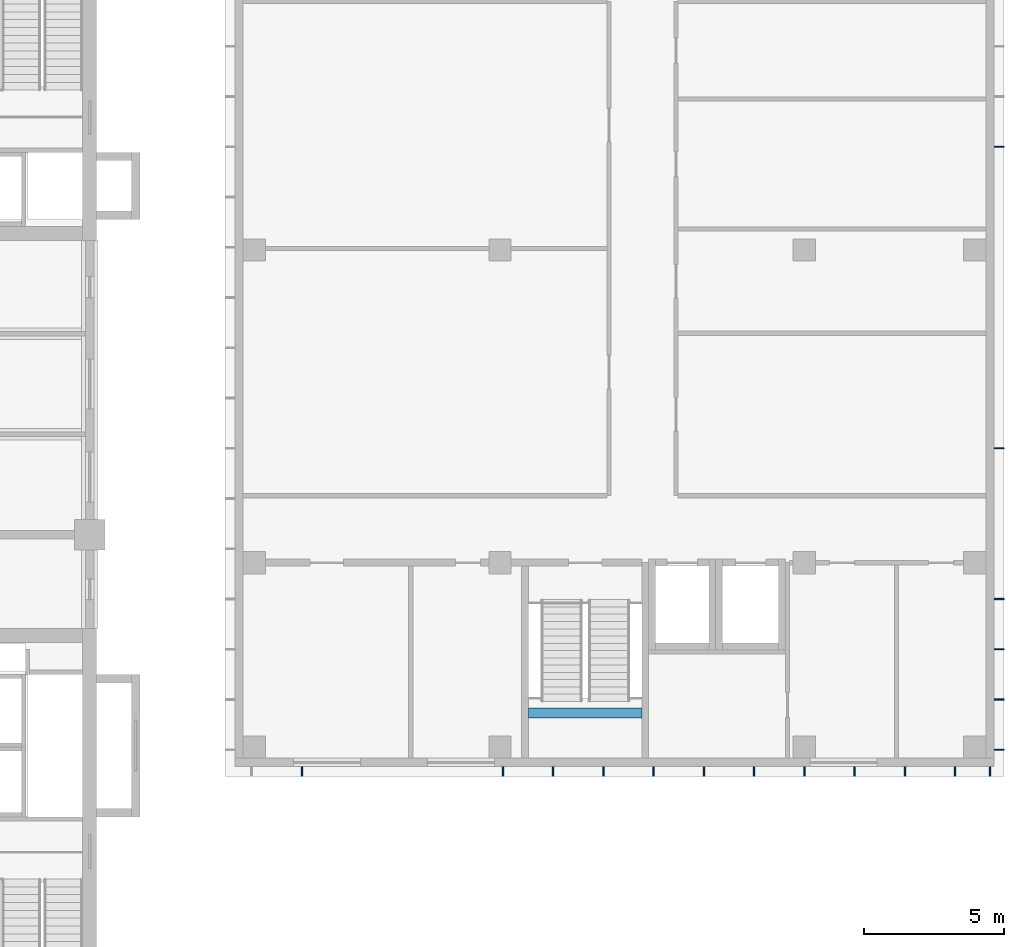
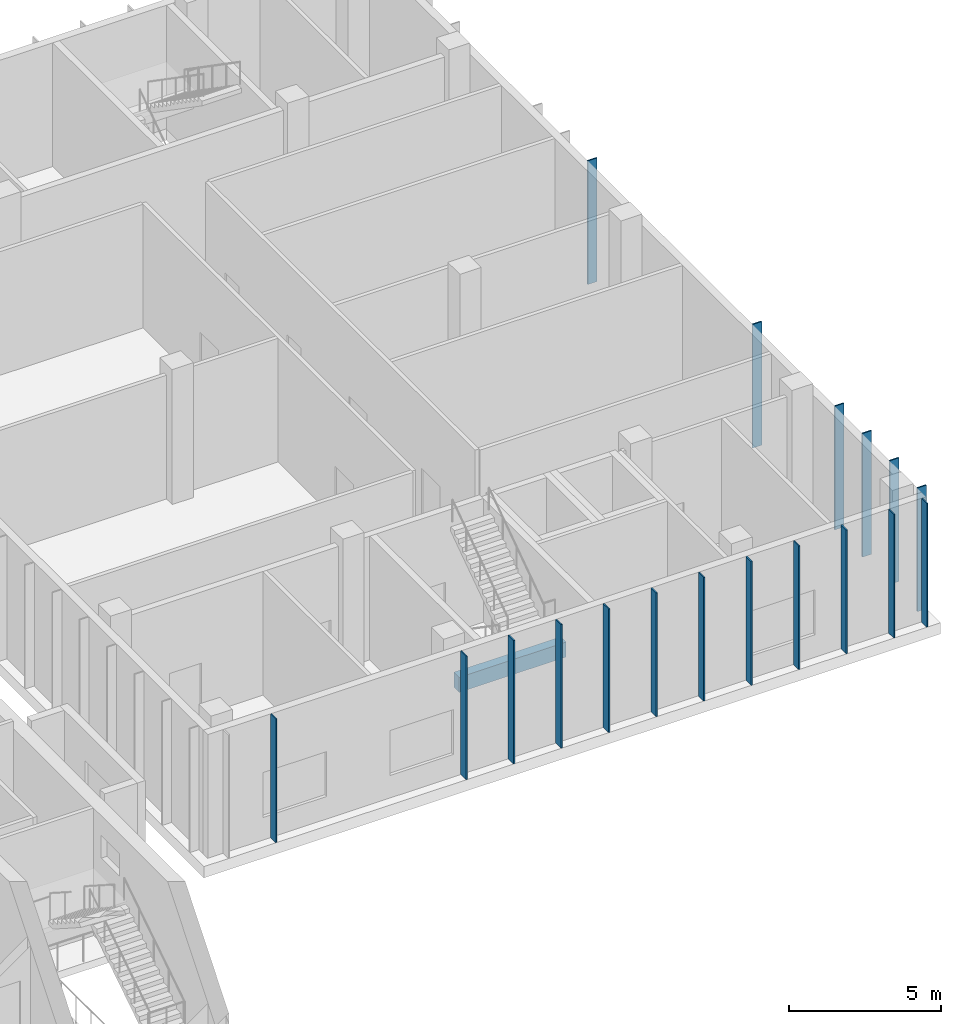
# One storey, part 10 of 33: 18 members, 1 beam.
"""IFC4 building model written with IfcOpenShell, lengths in metres."""

from ifc_helpers import new_model, si_unit, direction, frame, origin, origin_2d, place, context, subcontext, project, spatial, rectangle, extrude, material, material_profile, profile_set, type_object, element, save


model = new_model("IFC4")

# Units and contexts
model_context = context("Model", 3, precision=1e-05, world=origin(), true_north=direction((0.0, 1.0)))
body_context = subcontext(model_context, "Body", "Model", "MODEL_VIEW")
ifc_project = project(units=[si_unit("LENGTHUNIT", "METRE"), si_unit("AREAUNIT", "SQUARE_METRE"), si_unit("VOLUMEUNIT", "CUBIC_METRE"), si_unit("PLANEANGLEUNIT", "RADIAN"), si_unit("MASSUNIT", "GRAM", prefix="KILO")], contexts=[model_context])

# Site, building, storey
site_placement = place(None, origin())
site = spatial("IfcSite", under=ifc_project, at=site_placement, CompositionType="ELEMENT")
building_placement = place(site_placement, origin())
building = spatial("IfcBuilding", under=site, at=building_placement, Name="Basin Gate Institute", CompositionType="ELEMENT")
storey_placement = place(building_placement, frame((0.0, 0.0, 6.0)))
storey = spatial("IfcBuildingStorey", under=building, at=storey_placement, Name="L01", CompositionType="ELEMENT", Elevation=6.0)

# Beam
ifc_material_1 = material(Name="Concrete 40 MPa", Category="concrete")
ifc_material_profile_1 = material_profile(ifc_material_1, rectangle(XDim=0.35009765625, YDim=0.60009765625, at=origin_2d()), Name="Beam B4 350 x 600")
ifc_profile_set_1 = profile_set([ifc_material_profile_1], Name="Concrete 40 MPa")
beam_type = type_object("IfcBeamType", Name="Beam B4 R180", PredefinedType="BEAM", material=ifc_profile_set_1)
beam_placement = place(storey_placement, frame((134.52490234375, 71.916259765625, 2.199951171875), z_axis=(1.0, 0.0, 0.0), x_axis=(0.0, 1.0, 0.0)))
element("IfcBeam", 1, at=beam_placement, inside=storey, type_object=beam_type, material=ifc_profile_set_1, Name="Stair landing beam ST-C2 L01", PredefinedType="BEAM", context=body_context, shape_type="SweptSolid", body=[
    extrude(rectangle(XDim=0.35009765625, YDim=0.60009765625, at=origin_2d()), origin(), (0.0, 0.0, 1.0), 4.050048828125),
])

# Members
ifc_material_2 = material(Name="Anodised aluminium", Category="aluminium")
ifc_material_profile_2 = material_profile(ifc_material_2, rectangle(XDim=0.050048828125, YDim=0.35009765625, at=origin_2d()), Name="Louvre fin CF1 50 x 350")
ifc_profile_set_2 = profile_set([ifc_material_profile_2], Name="Anodised aluminium")
member_type = type_object("IfcMemberType", Name="Louvre fin CF1", PredefinedType="PLATE", material=ifc_profile_set_2)
for number, where, z_axis, x_axis, name in (
    (2, (126.39990234375, 69.824951171875, 0.0), (0.0, 0.0, 1.0), (1.0, 0.0, 0.0), "Louvre fin CF1 S2 L01"),
    (3, (133.60009765625, 69.824951171875, 0.0), (0.0, 0.0, 1.0), (1.0, 0.0, 0.0), "Louvre fin CF1 S6 L01"),
    (4, (135.39990234375, 69.824951171875, 0.0), (0.0, 0.0, 1.0), (1.0, 0.0, 0.0), "Louvre fin CF1 S7 L01"),
    (5, (137.199951171875, 69.824951171875, 0.0), (0.0, 0.0, 1.0), (1.0, 0.0, 0.0), "Louvre fin CF1 S8 L01"),
    (6, (139.0, 69.824951171875, 0.0), (0.0, 0.0, 1.0), (1.0, 0.0, 0.0), "Louvre fin CF1 S9 L01"),
    (7, (140.800048828125, 69.824951171875, 0.0), (0.0, 0.0, 1.0), (1.0, 0.0, 0.0), "Louvre fin CF1 S10 L01"),
    (8, (142.60009765625, 69.824951171875, 0.0), (0.0, 0.0, 1.0), (1.0, 0.0, 0.0), "Louvre fin CF1 S11 L01"),
    (9, (144.39990234375, 69.824951171875, 0.0), (0.0, 0.0, 1.0), (1.0, 0.0, 0.0), "Louvre fin CF1 S12 L01"),
    (10, (146.199951171875, 69.824951171875, 0.0), (0.0, 0.0, 1.0), (1.0, 0.0, 0.0), "Louvre fin CF1 S13 L01"),
    (11, (148.0, 69.824951171875, 0.0), (0.0, 0.0, 1.0), (1.0, 0.0, 0.0), "Louvre fin CF1 S14 L01"),
    (12, (149.800048828125, 69.824951171875, 0.0), (0.0, 0.0, 1.0), (1.0, 0.0, 0.0), "Louvre fin CF1 S15 L01"),
    (13, (151.050048828125, 69.824951171875, 0.0), (0.0, 0.0, 1.0), (1.0, 0.0, 0.0), "Louvre fin CF1 S16 L01"),
    (14, (151.375, 70.60009765625, 0.0), (0.0, 0.0, 1.0), (0.0, 1.0, 0.0), "Louvre fin CF1 E1 L01"),
    (15, (151.375, 72.39990234375, 0.0), (0.0, 0.0, 1.0), (0.0, 1.0, 0.0), "Louvre fin CF1 E2 L01"),
    (16, (151.375, 74.199951171875, 0.0), (0.0, 0.0, 1.0), (0.0, 1.0, 0.0), "Louvre fin CF1 E3 L01"),
    (17, (151.375, 76.0, 0.0), (0.0, 0.0, 1.0), (0.0, 1.0, 0.0), "Louvre fin CF1 E4 L01"),
    (18, (151.375, 81.39990234375, 0.0), (0.0, 0.0, 1.0), (0.0, 1.0, 0.0), "Louvre fin CF1 E7 L01"),
    (19, (151.375, 92.199951171875, 0.0), (0.0, 0.0, 1.0), (0.0, 1.0, 0.0), "Louvre fin CF1 E13 L01"),
):
    element("IfcMember", number, at=place(storey_placement, frame(where, z_axis=z_axis, x_axis=x_axis)), inside=storey, type_object=member_type, material=ifc_profile_set_2, Name=name, PredefinedType="PLATE", context=body_context, shape_type="SweptSolid", body=[
        extrude(rectangle(XDim=0.050048828125, YDim=0.35009765625, at=origin_2d()), origin(), (0.0, 0.0, 1.0), 4.949951171875),
    ])

save(model, "model.ifc")
